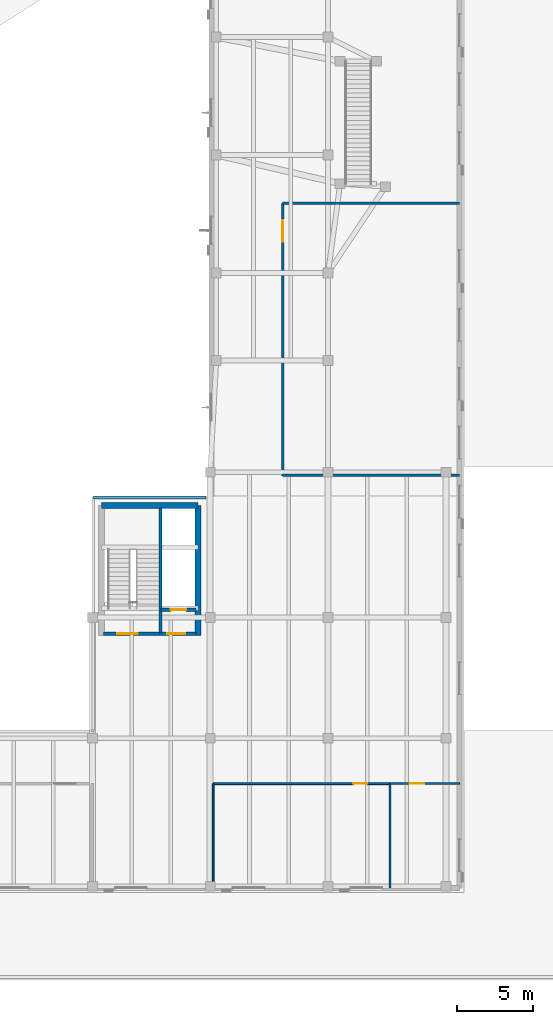
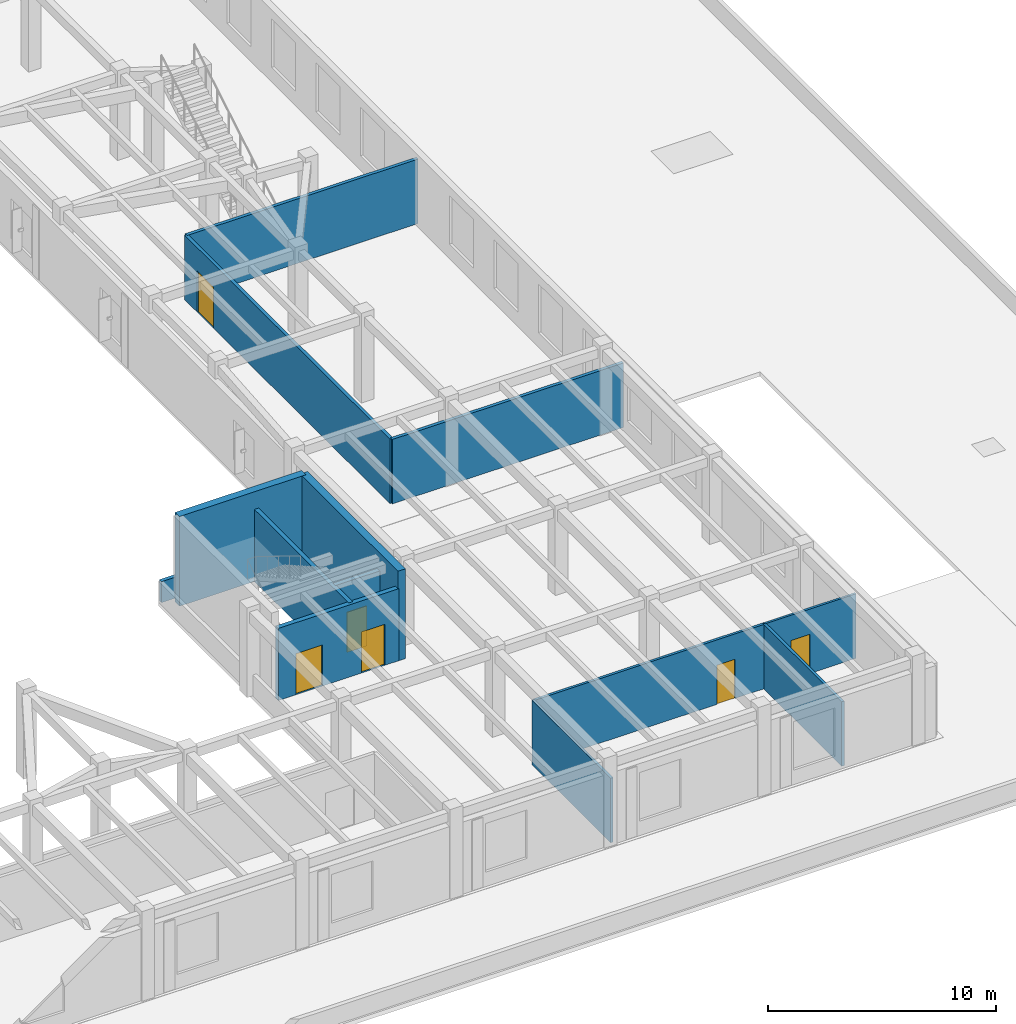
# One storey, part 94 of 105: 13 walls, 6 doors, 6 openings.
"""IFC4 building model written with IfcOpenShell, lengths in metres."""

from ifc_helpers import new_model, si_unit, direction, frame, frame_2d, origin, place, context, subcontext, project, spatial, rectangle, extrude, material, layer, layer_set, type_object, element, fill, save


model = new_model("IFC4")

# Units and contexts
model_context = context("Model", 3, precision=1e-05, world=origin(), true_north=direction((0.0, 1.0)))
body_context = subcontext(model_context, "Body", "Model", "MODEL_VIEW")
ifc_project = project(units=[si_unit("LENGTHUNIT", "METRE"), si_unit("AREAUNIT", "SQUARE_METRE"), si_unit("VOLUMEUNIT", "CUBIC_METRE"), si_unit("PLANEANGLEUNIT", "RADIAN"), si_unit("MASSUNIT", "GRAM", prefix="KILO")], contexts=[model_context])

# Site, building, storey
site_placement = place(None, origin())
site = spatial("IfcSite", under=ifc_project, at=site_placement, CompositionType="ELEMENT")
building_placement = place(site_placement, origin())
building = spatial("IfcBuilding", under=site, at=building_placement, Name="Pelvatis Terrace Science Centre", CompositionType="ELEMENT")
storey_placement = place(building_placement, frame((0.0, 0.0, 10.199951171875)))
storey = spatial("IfcBuildingStorey", under=building, at=storey_placement, Name="L02", CompositionType="ELEMENT", Elevation=10.199951171875)

# Wall
ifc_material_1 = material(Name="Concrete C35/45 shaft dividing wall", Category="concrete")
ifc_layer_1 = layer(ifc_material_1, 0.2099609375)
ifc_layer_set_1 = layer_set([ifc_layer_1], Name="Concrete C35/45 shaft dividing wall")
wall_type_1 = type_object("IfcWallType", Name="WL-INT-CORE-210", PredefinedType="PARTITIONING", material=ifc_layer_set_1)
wall_1_placement = place(storey_placement, frame((137.10009765625, 22.949951171875, 0.0), z_axis=(0.0, 0.0, 1.0), x_axis=(0.0, 1.0, 0.0)))
element("IfcWall", 1, at=wall_1_placement, inside=storey, type_object=wall_type_1, Name="Core C4 stair-lift shaft fire wall (L02)", PredefinedType="PARTITIONING", context=body_context, shape_type="SweptSolid", body=[
    extrude(rectangle(XDim=8.300048828125, YDim=0.2099609375, at=frame_2d((4.14990234375, 0.0))), origin(), (0.0, 0.0, 1.0), 3.860107421875),
])

# Wall, opening, door
ifc_material_2 = material(Name="Concrete C35/45 stair enclosure wall", Category="concrete")
ifc_layer_2 = layer(ifc_material_2, 0.22509765625)
ifc_layer_set_2 = layer_set([ifc_layer_2], Name="Concrete C35/45 stair enclosure wall")
wall_type_2 = type_object("IfcWallType", Name="WL-INT-CORE-225", PredefinedType="PARTITIONING", material=ifc_layer_set_2)
wall_2_placement = place(storey_placement, frame((137.14990234375, 24.5, 0.0), z_axis=(0.0, 0.0, 1.0), x_axis=(1.0, 0.0, 0.0)))
wall_2 = element("IfcWall", 2, at=wall_2_placement, inside=storey, type_object=wall_type_2, Name="Core C4 lift shaft landing wall (L02)", PredefinedType="PARTITIONING", context=body_context, shape_type="SweptSolid", body=[
    extrude(rectangle(XDim=2.300048828125, YDim=0.22509765625, at=frame_2d((1.14990234375, 0.0))), origin(), (0.0, 0.0, 1.0), 3.860107421875),
])
opening_1_placement = place(wall_2_placement, frame((0.64990234375, 0.0, 0.0)))
opening_1 = element("IfcOpeningElement", 3, at=opening_1_placement, cuts=wall_2, Name="Opening LD-C4-4", PredefinedType="OPENING", context=body_context, shape_type="SweptSolid", body=[
    extrude(rectangle(XDim=1.0, YDim=2.14990234375, at=frame_2d((0.5, 1.074951171875))), frame((0.0, 0.12255859375, 0.0), z_axis=(0.0, -1.0, 0.0), x_axis=(1.0, 0.0, 0.0)), (0.0, 0.0, 1.0), 0.2451171875),
])
ifc_material_3 = material(Name="Bronze-clad sliding passenger lift landing door", Category="steel")
door_type_1 = type_object("IfcDoorType", Name="DR-LIFT-1000x2150", OperationType="NOTDEFINED", PredefinedType="DOOR", material=ifc_material_3)
door_1_placement = place(opening_1_placement, origin())
door_1 = element("IfcDoor", 4, at=door_1_placement, inside=storey, type_object=door_type_1, Name="Lift LF-06 sliding landing door (L02)", OperationType="SLIDING_TO_RIGHT", OverallHeight=2.14990234375, OverallWidth=1.0, PredefinedType="DOOR", context=body_context, shape_type="SweptSolid", body=[
    extrude(rectangle(XDim=1.0, YDim=2.14990234375, at=frame_2d((0.5, 1.074951171875))), frame((0.0, 0.02490234375, 0.0), z_axis=(0.0, -1.0, 0.0), x_axis=(1.0, 0.0, 0.0)), (0.0, 0.0, 1.0), 0.050048828125),
])
fill(opening_1, door_1)

# Wall, openings, doors
ifc_material_4 = material(Name="Concrete C35/45 shaft enclosure wall", Category="concrete")
ifc_layer_3 = layer(ifc_material_4, 0.239990234375)
ifc_layer_set_3 = layer_set([ifc_layer_3], Name="Concrete C35/45 shaft enclosure wall")
wall_type_3 = type_object("IfcWallType", Name="WL-INT-CORE-240", PredefinedType="PARTITIONING", material=ifc_layer_set_3)
wall_3_placement = place(storey_placement, frame((133.35009765625, 22.919921875, 0.0), z_axis=(0.0, 0.0, 1.0), x_axis=(1.0, 0.0, 0.0)))
wall_3 = element("IfcWall", 5, at=wall_3_placement, inside=storey, type_object=wall_type_3, Name="Core C4 fire-rated lobby wall (L02)", PredefinedType="PARTITIONING", context=body_context, shape_type="SweptSolid", body=[
    extrude(rectangle(XDim=6.099853515625, YDim=0.239990234375, at=frame_2d((3.0498046875, 0.0))), origin(), (0.0, 0.0, 1.0), 3.860107421875),
])
opening_2_placement = place(wall_3_placement, frame((0.89990234375, 0.0, 0.0)))
opening_2 = element("IfcOpeningElement", 6, at=opening_2_placement, cuts=wall_3, Name="Opening D-147", PredefinedType="OPENING", context=body_context, shape_type="SweptSolid", body=[
    extrude(rectangle(XDim=1.35009765625, YDim=2.199951171875, at=frame_2d((0.675048828125, 1.10009765625))), frame((0.0, 0.1298828125, 0.0), z_axis=(0.0, -1.0, 0.0), x_axis=(1.0, 0.0, 0.0)), (0.0, 0.0, 1.0), 0.260009765625),
])
opening_3_placement = place(wall_3_placement, frame((4.199951171875, 0.0, 0.0)))
opening_3 = element("IfcOpeningElement", 7, at=opening_3_placement, cuts=wall_3, Name="Opening D-148", PredefinedType="OPENING", context=body_context, shape_type="SweptSolid", body=[
    extrude(rectangle(XDim=1.199951171875, YDim=2.199951171875, at=frame_2d((0.60009765625, 1.10009765625))), frame((0.0, 0.1298828125, 0.0), z_axis=(0.0, -1.0, 0.0), x_axis=(1.0, 0.0, 0.0)), (0.0, 0.0, 1.0), 0.260009765625),
])
ifc_material_5 = material(Name="Steel fire-rated exit stair door", Category="steel")
door_type_2 = type_object("IfcDoorType", Name="DR-STAIR-1200x2200", OperationType="NOTDEFINED", PredefinedType="DOOR", material=ifc_material_5)
door_2_placement = place(opening_3_placement, origin())
door_2 = element("IfcDoor", 8, at=door_2_placement, inside=storey, type_object=door_type_2, Name="Core C4 lift lobby fire door (L02)", OperationType="SINGLE_SWING_LEFT", OverallHeight=2.199951171875, OverallWidth=1.199951171875, PredefinedType="DOOR", context=body_context, shape_type="SweptSolid", body=[
    extrude(rectangle(XDim=1.199951171875, YDim=2.199951171875, at=frame_2d((0.60009765625, 1.10009765625))), frame((0.0, 0.02490234375, 0.0), z_axis=(0.0, -1.0, 0.0), x_axis=(1.0, 0.0, 0.0)), (0.0, 0.0, 1.0), 0.050048828125),
])
fill(opening_3, door_2)
ifc_material_6 = material(Name="Steel fire-rated protected stair door", Category="steel")
door_type_3 = type_object("IfcDoorType", Name="DR-STAIR-1350x2200", OperationType="NOTDEFINED", PredefinedType="DOOR", material=ifc_material_6)
door_3_placement = place(opening_2_placement, origin())
door_3 = element("IfcDoor", 9, at=door_3_placement, inside=storey, type_object=door_type_3, Name="Core C4 protected stair fire door (L02)", OperationType="SINGLE_SWING_RIGHT", OverallHeight=2.199951171875, OverallWidth=1.35009765625, PredefinedType="DOOR", context=body_context, shape_type="SweptSolid", body=[
    extrude(rectangle(XDim=1.35009765625, YDim=2.199951171875, at=frame_2d((0.675048828125, 1.10009765625))), frame((0.0, 0.02490234375, 0.0), z_axis=(0.0, -1.0, 0.0), x_axis=(1.0, 0.0, 0.0)), (0.0, 0.0, 1.0), 0.050048828125),
])
fill(opening_2, door_3)

# Walls
ifc_material_7 = material(Name="Office partition wall", Category="masonry")
ifc_layer_4 = layer(ifc_material_7, 0.139892578125)
ifc_layer_set_4 = layer_set([ifc_layer_4], Name="Office partition wall")
wall_type_4 = type_object("IfcWallType", Name="WL-INT-GAL-140", PredefinedType="PARTITIONING", material=ifc_layer_set_4)
wall_4_placement = place(storey_placement, frame((152.300048828125, 6.10009765625, 0.0), z_axis=(0.0, 0.0, 1.0), x_axis=(0.0, 1.0, 0.0)))
element("IfcWall", 10, at=wall_4_placement, inside=storey, type_object=wall_type_4, Name="Level L02 Public Restrooms partition wall E", PredefinedType="PARTITIONING", context=body_context, shape_type="SweptSolid", body=[
    extrude(rectangle(XDim=6.89990234375, YDim=0.139892578125, at=frame_2d((3.449951171875, 0.0))), origin(), (0.0, 0.0, 1.0), 3.449951171875),
])
ifc_material_8 = material(Name="Dry studio acoustic partition", Category="masonry")
ifc_layer_5 = layer(ifc_material_8, 0.1650390625)
ifc_layer_set_5 = layer_set([ifc_layer_5], Name="Dry studio acoustic partition")
wall_type_5 = type_object("IfcWallType", Name="WL-INT-LAB-165", PredefinedType="PARTITIONING", material=ifc_layer_set_5)
for number, where, z_axis, x_axis, name in (
    (11, (145.199951171875, 33.39990234375, 0.0), (0.0, 0.0, 1.0), (1.0, 0.0, 0.0), "Earth Observation and GIS Mapping Studio 3 partition wall S"),
    (12, (156.89990234375, 51.39990234375, 0.0), (0.0, 0.0, 1.0), (-1.0, 0.0, 0.0), "Earth Observation and GIS Mapping Studio 3 partition wall N"),
):
    element("IfcWall", number, at=place(storey_placement, frame(where, z_axis=z_axis, x_axis=x_axis)), inside=storey, type_object=wall_type_5, Name=name, PredefinedType="PARTITIONING", context=body_context, shape_type="SweptSolid", body=[
        extrude(rectangle(XDim=11.699951171875, YDim=0.1650390625, at=frame_2d((5.85009765625, 0.0))), origin(), (0.0, 0.0, 1.0), 3.449951171875),
    ])

# Wall, opening, door
wall_5_placement = place(storey_placement, frame((145.199951171875, 51.39990234375, 0.0), z_axis=(0.0, 0.0, 1.0), x_axis=(0.0, -1.0, 0.0)))
wall_5 = element("IfcWall", 13, at=wall_5_placement, inside=storey, type_object=wall_type_5, Name="Earth Observation and GIS Mapping Studio 3 partition wall W", PredefinedType="PARTITIONING", context=body_context, shape_type="SweptSolid", body=[
    extrude(rectangle(XDim=18.0, YDim=0.1650390625, at=frame_2d((9.0, 0.0))), origin(), (0.0, 0.0, 1.0), 3.449951171875),
])
opening_4_placement = place(wall_5_placement, frame((1.10595703125, 0.0, 0.0)))
opening_4 = element("IfcOpeningElement", 14, at=opening_4_placement, cuts=wall_5, Name="Opening D-207", PredefinedType="OPENING", context=body_context, shape_type="SweptSolid", body=[
    extrude(rectangle(XDim=1.449951171875, YDim=2.199951171875, at=frame_2d((0.72509765625, 1.10009765625))), frame((0.0, 0.092529296875, 0.0), z_axis=(0.0, -1.0, 0.0), x_axis=(1.0, 0.0, 0.0)), (0.0, 0.0, 1.0), 0.18505859375),
])
ifc_material_9 = material(Name="Leaf-and-a-half dry studio door", Category="wood")
door_type_4 = type_object("IfcDoorType", Name="DR-LAB-1450x2200", OperationType="NOTDEFINED", PredefinedType="DOOR", material=ifc_material_9)
door_4_placement = place(opening_4_placement, origin())
door_4 = element("IfcDoor", 15, at=door_4_placement, inside=storey, type_object=door_type_4, Name="Earth Observation and GIS Mapping Studio 3 entrance door", OperationType="SINGLE_SWING_RIGHT", OverallHeight=2.199951171875, OverallWidth=1.449951171875, PredefinedType="DOOR", context=body_context, shape_type="SweptSolid", body=[
    extrude(rectangle(XDim=1.449951171875, YDim=2.199951171875, at=frame_2d((0.72509765625, 1.10009765625))), frame((0.0, 0.02490234375, 0.0), z_axis=(0.0, -1.0, 0.0), x_axis=(1.0, 0.0, 0.0)), (0.0, 0.0, 1.0), 0.050048828125),
])
fill(opening_4, door_4)

# Wall
ifc_material_10 = material(Name="Standard gypsum board partition", Category="masonry")
ifc_layer_6 = layer(ifc_material_10, 0.125)
ifc_layer_set_6 = layer_set([ifc_layer_6], Name="Standard gypsum board partition")
wall_type_6 = type_object("IfcWallType", Name="WL-INT-STD-125", PredefinedType="PARTITIONING", material=ifc_layer_set_6)
wall_6_placement = place(storey_placement, frame((140.60009765625, 13.0, 0.0), z_axis=(0.0, 0.0, 1.0), x_axis=(0.0, -1.0, 0.0)))
element("IfcWall", 16, at=wall_6_placement, inside=storey, type_object=wall_type_6, Name="Level L02 Public Restrooms partition wall W", PredefinedType="PARTITIONING", context=body_context, shape_type="SweptSolid", body=[
    extrude(rectangle(XDim=6.89990234375, YDim=0.125, at=frame_2d((3.449951171875, 0.0))), origin(), (0.0, 0.0, 1.0), 3.449951171875),
])

# Wall, opening, door
ifc_material_11 = material(Name="Accessible WC cubicle partition", Category="masonry")
ifc_layer_7 = layer(ifc_material_11, 0.114990234375)
ifc_layer_set_7 = layer_set([ifc_layer_7], Name="Accessible WC cubicle partition")
wall_type_7 = type_object("IfcWallType", Name="WL-INT-WET-115", PredefinedType="PARTITIONING", material=ifc_layer_set_7)
wall_7_placement = place(storey_placement, frame((156.89990234375, 13.0, 0.0), z_axis=(0.0, 0.0, 1.0), x_axis=(-1.0, 0.0, 0.0)))
wall_7 = element("IfcWall", 17, at=wall_7_placement, inside=storey, type_object=wall_type_7, Name="Level L02 Accessible WC partition wall N", PredefinedType="PARTITIONING", context=body_context, shape_type="SweptSolid", body=[
    extrude(rectangle(XDim=4.599853515625, YDim=0.114990234375, at=frame_2d((2.2998046875, 0.0))), origin(), (0.0, 0.0, 1.0), 3.449951171875),
])
opening_5_placement = place(wall_7_placement, frame((2.3349609375, 0.0, 0.0)))
opening_5 = element("IfcOpeningElement", 18, at=opening_5_placement, cuts=wall_7, Name="Opening D-210", PredefinedType="OPENING", context=body_context, shape_type="SweptSolid", body=[
    extrude(rectangle(XDim=0.949951171875, YDim=2.10009765625, at=frame_2d((0.47509765625, 1.050048828125))), frame((0.0, 0.0673828125, 0.0), z_axis=(0.0, -1.0, 0.0), x_axis=(1.0, 0.0, 0.0)), (0.0, 0.0, 1.0), 0.135009765625),
])
ifc_material_12 = material(Name="Moisture-resistant accessible restroom door", Category="wood")
door_type_5 = type_object("IfcDoorType", Name="DR-WC-0950x2100", OperationType="NOTDEFINED", PredefinedType="DOOR", material=ifc_material_12)
door_5_placement = place(opening_5_placement, origin())
door_5 = element("IfcDoor", 19, at=door_5_placement, inside=storey, type_object=door_type_5, Name="Level L02 Accessible WC entrance door", OperationType="SINGLE_SWING_LEFT", OverallHeight=2.10009765625, OverallWidth=0.949951171875, PredefinedType="DOOR", context=body_context, shape_type="SweptSolid", body=[
    extrude(rectangle(XDim=0.949951171875, YDim=2.10009765625, at=frame_2d((0.47509765625, 1.050048828125))), frame((0.0, 0.02490234375, 0.0), z_axis=(0.0, -1.0, 0.0), x_axis=(1.0, 0.0, 0.0)), (0.0, 0.0, 1.0), 0.050048828125),
])
fill(opening_5, door_5)

ifc_material_13 = material(Name="Ceramic-tiled wet restroom partition", Category="masonry")
ifc_layer_8 = layer(ifc_material_13, 0.1298828125)
ifc_layer_set_8 = layer_set([ifc_layer_8], Name="Ceramic-tiled wet restroom partition")
wall_type_8 = type_object("IfcWallType", Name="WL-INT-WET-130", PredefinedType="PARTITIONING", material=ifc_layer_set_8)
wall_8_placement = place(storey_placement, frame((152.300048828125, 13.0, 0.0), z_axis=(0.0, 0.0, 1.0), x_axis=(-1.0, 0.0, 0.0)))
wall_8 = element("IfcWall", 20, at=wall_8_placement, inside=storey, type_object=wall_type_8, Name="Level L02 Public Restrooms partition wall N", PredefinedType="PARTITIONING", context=body_context, shape_type="SweptSolid", body=[
    extrude(rectangle(XDim=11.699951171875, YDim=0.1298828125, at=frame_2d((5.85009765625, 0.0))), origin(), (0.0, 0.0, 1.0), 3.449951171875),
])
opening_6_placement = place(wall_8_placement, frame((1.51904296875, 0.0, 0.0)))
opening_6 = element("IfcOpeningElement", 21, at=opening_6_placement, cuts=wall_8, Name="Opening D-209", PredefinedType="OPENING", context=body_context, shape_type="SweptSolid", body=[
    extrude(rectangle(XDim=0.919921875, YDim=2.10009765625, at=frame_2d((0.4599609375, 1.050048828125))), frame((0.0, 0.074951171875, 0.0), z_axis=(0.0, -1.0, 0.0), x_axis=(1.0, 0.0, 0.0)), (0.0, 0.0, 1.0), 0.14990234375),
])
ifc_material_14 = material(Name="Moisture-resistant public restroom door", Category="wood")
door_type_6 = type_object("IfcDoorType", Name="DR-WC-0920x2100", OperationType="NOTDEFINED", PredefinedType="DOOR", material=ifc_material_14)
door_6_placement = place(opening_6_placement, origin())
door_6 = element("IfcDoor", 22, at=door_6_placement, inside=storey, type_object=door_type_6, Name="Level L02 Public Restrooms entrance door", OperationType="SINGLE_SWING_RIGHT", OverallHeight=2.10009765625, OverallWidth=0.919921875, PredefinedType="DOOR", context=body_context, shape_type="SweptSolid", body=[
    extrude(rectangle(XDim=0.919921875, YDim=2.10009765625, at=frame_2d((0.4599609375, 1.050048828125))), frame((0.0, 0.02490234375, 0.0), z_axis=(0.0, -1.0, 0.0), x_axis=(1.0, 0.0, 0.0)), (0.0, 0.0, 1.0), 0.050048828125),
])
fill(opening_6, door_6)

# Walls
ifc_material_15 = material(Name="White architectural precast concrete C40/50 spandrel parapet", Category="concrete")
ifc_layer_9 = layer(ifc_material_15, 0.18994140625)
ifc_layer_set_9 = layer_set([ifc_layer_9], Name="White architectural precast concrete C40/50 spandrel parapet")
wall_type_9 = type_object("IfcWallType", Name="WL-PAR-190", PredefinedType="PARAPET", material=ifc_layer_set_9)
wall_9_placement = place(storey_placement, frame((132.659912109375, 31.93994140625, 0.0), z_axis=(0.0, 0.0, 1.0), x_axis=(1.0, 0.0, 0.0)))
element("IfcWall", 23, at=wall_9_placement, inside=storey, type_object=wall_type_9, Name="Perimeter edge closure parapet PW-EDG-L02-246", PredefinedType="PARAPET", context=body_context, shape_type="SweptSolid", body=[
    extrude(rectangle(XDim=7.450439453125, YDim=0.18994140625, at=frame_2d((3.72509765625, 0.0))), origin(), (0.0, 0.0, 1.0), 1.1201171875),
])
ifc_material_16 = material(Name="Concrete C40/50", Category="concrete")
ifc_layer_10 = layer(ifc_material_16, 0.3798828125)
ifc_layer_set_10 = layer_set([ifc_layer_10], Name="Concrete C40/50")
wall_type_10 = type_object("IfcWallType", Name="WL-SHR-380", PredefinedType="SHEAR", material=ifc_layer_set_10)
wall_10_placement = place(storey_placement, frame((133.199951171875, 31.39990234375, 0.0), z_axis=(0.0, 0.0, 1.0), x_axis=(1.0, 0.0, 0.0)))
element("IfcWall", 24, at=wall_10_placement, inside=storey, type_object=wall_type_10, Name="Core C4 shear wall N (L02)", PredefinedType="SHEAR", context=body_context, shape_type="SweptSolid", body=[
    extrude(rectangle(XDim=6.400146484375, YDim=0.3798828125, at=frame_2d((3.2001953125, 0.0))), origin(), (0.0, 0.0, 1.0), 4.800048828125),
])
wall_11_placement = place(storey_placement, frame((139.60009765625, 22.800048828125, 0.0), z_axis=(0.0, 0.0, 1.0), x_axis=(0.0, 1.0, 0.0)))
element("IfcWall", 25, at=wall_11_placement, inside=storey, type_object=wall_type_10, Name="Core C4 shear wall E (L02)", PredefinedType="SHEAR", context=body_context, shape_type="SweptSolid", body=[
    extrude(rectangle(XDim=8.599853515625, YDim=0.3798828125, at=frame_2d((4.2998046875, 0.0))), origin(), (0.0, 0.0, 1.0), 4.800048828125),
])

save(model, "model.ifc")
